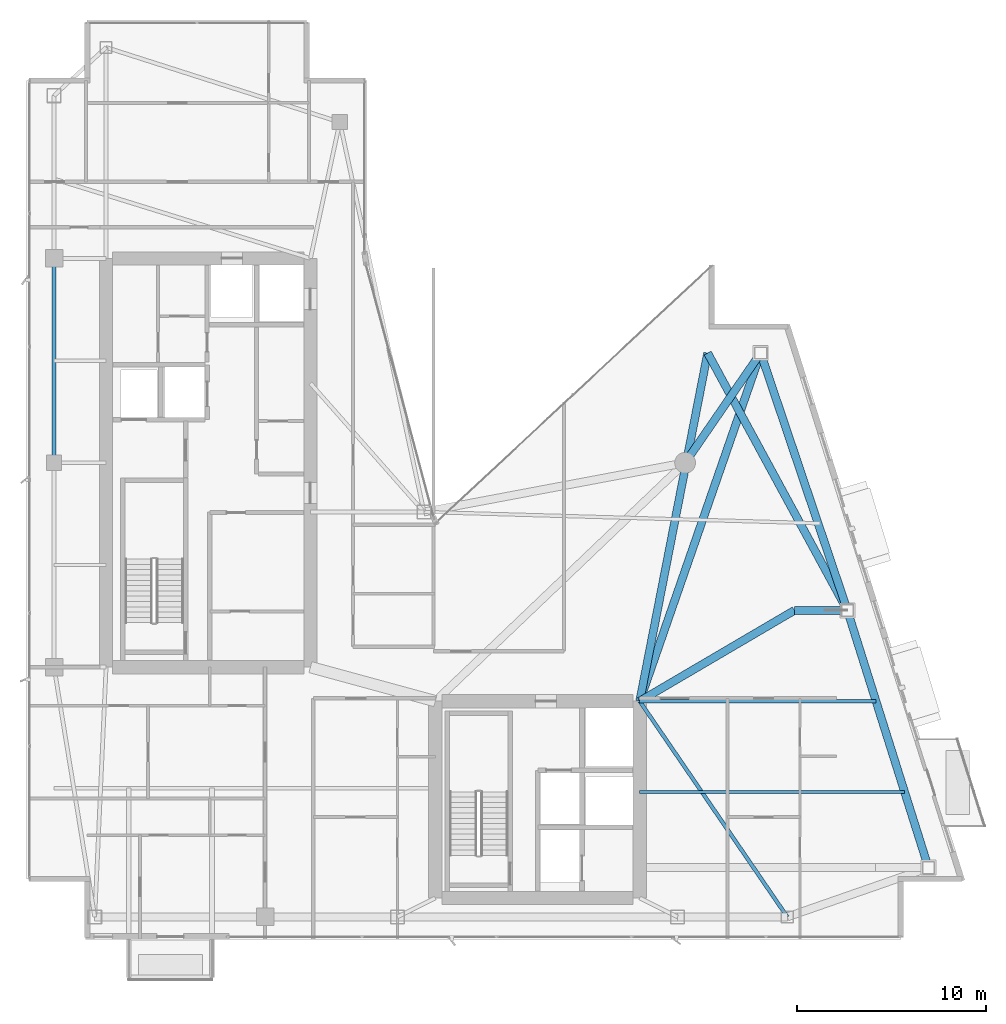
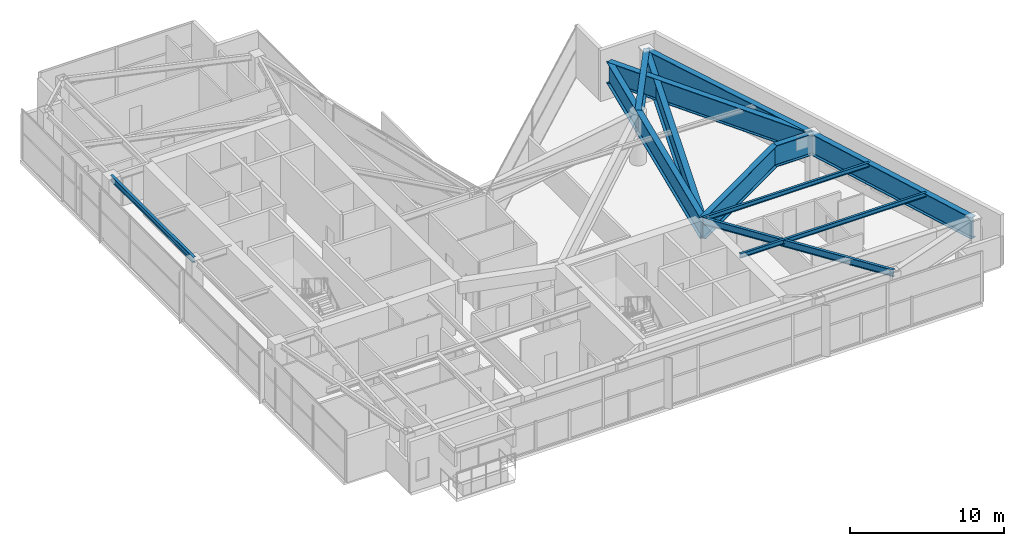
# One storey, part 14 of 27: 12 beams.
"""IFC4 building model written with IfcOpenShell, lengths in metres."""

from ifc_helpers import new_model, si_unit, direction, frame, origin, origin_2d, place, context, subcontext, project, spatial, i_section, extrude, material, material_profile, profile_set, type_object, element, save


model = new_model("IFC4")

# Units and contexts
model_context = context("Model", 3, precision=1e-05, world=origin(), true_north=direction((0.0, 1.0)))
body_context = subcontext(model_context, "Body", "Model", "MODEL_VIEW")
ifc_project = project(units=[si_unit("LENGTHUNIT", "METRE"), si_unit("AREAUNIT", "SQUARE_METRE"), si_unit("VOLUMEUNIT", "CUBIC_METRE"), si_unit("PLANEANGLEUNIT", "RADIAN"), si_unit("MASSUNIT", "GRAM", prefix="KILO")], contexts=[model_context])

# Site, building, storey
site_placement = place(None, origin())
site = spatial("IfcSite", under=ifc_project, at=site_placement, CompositionType="ELEMENT")
building_placement = place(site_placement, origin())
building = spatial("IfcBuilding", under=site, at=building_placement, Name="Calvorn Quay Hotel", CompositionType="ELEMENT")
storey_placement = place(building_placement, frame((0.0, 0.0, 239.300048828125)))
storey = spatial("IfcBuildingStorey", under=building, at=storey_placement, Name="L59", CompositionType="ELEMENT", Elevation=239.300048828125)

# Beams
ifc_material_1 = material(Name="Steel Q355B", Category="steel")
ifc_material_profile_1 = material_profile(ifc_material_1, i_section(OverallWidth=0.199951171875, OverallDepth=0.550048828125, WebThickness=0.010009765625, FlangeThickness=0.01611328125, FilletRadius=0.01806640625, at=origin_2d()), Name="HN550x200x10x16")
ifc_profile_set_1 = profile_set([ifc_material_profile_1], Name="Steel Q355B")
beam_type_1 = type_object("IfcBeamType", Name="BM-GIRD-UPP", PredefinedType="BEAM", material=ifc_profile_set_1)
beam_1_placement = place(storey_placement, frame((40.199951171875, 3.60009765625, 3.77490234375), z_axis=(-0.564689618177, 0.825303359452, 0.0), x_axis=(-0.825303359452, -0.564689618177, 0.0)))
element("IfcBeam", 1, at=beam_1_placement, inside=storey, type_object=beam_type_1, Name="Beam BG-L59-E6", PredefinedType="BEAM", context=body_context, shape_type="SweptSolid", body=[
    extrude(i_section(OverallWidth=0.199951171875, OverallDepth=0.550048828125, WebThickness=0.010009765625, FlangeThickness=0.01611328125, FilletRadius=0.01806640625, at=origin_2d()), origin(), (0.0, 0.0, 1.0), 13.81298828125),
])
ifc_material_2 = material(Name="Steel Q355B", Category="steel")
ifc_material_profile_2 = material_profile(ifc_material_2, i_section(OverallWidth=0.175048828125, OverallDepth=0.35009765625, WebThickness=0.007080078125, FlangeThickness=0.010986328125, FilletRadius=0.013916015625, at=origin_2d()), Name="HN350x175x7x11")
ifc_profile_set_2 = profile_set([ifc_material_profile_2], Name="Steel Q355B")
beam_type_2 = type_object("IfcBeamType", Name="BM-JOIST-SEC", PredefinedType="JOIST", material=ifc_profile_set_2)
beam_2_placement = place(storey_placement, frame((32.39990234375, 10.199951171875, 3.875), z_axis=(1.0, 0.0, 0.0), x_axis=(0.0, 1.0, 0.0)))
element("IfcBeam", 2, at=beam_2_placement, inside=storey, type_object=beam_type_2, Name="Beam BJ-L59-E1", PredefinedType="JOIST", context=body_context, shape_type="SweptSolid", body=[
    extrude(i_section(OverallWidth=0.175048828125, OverallDepth=0.35009765625, WebThickness=0.007080078125, FlangeThickness=0.010986328125, FilletRadius=0.013916015625, at=origin_2d()), origin(), (0.0, 0.0, 1.0), 14.0009765625),
])
beam_3_placement = place(storey_placement, frame((32.39990234375, 15.0, 3.875), z_axis=(1.0, 0.0, 0.0), x_axis=(0.0, 1.0, 0.0)))
element("IfcBeam", 3, at=beam_3_placement, inside=storey, type_object=beam_type_2, Name="Beam BJ-L59-E2", PredefinedType="JOIST", context=body_context, shape_type="SweptSolid", body=[
    extrude(i_section(OverallWidth=0.175048828125, OverallDepth=0.35009765625, WebThickness=0.007080078125, FlangeThickness=0.010986328125, FilletRadius=0.013916015625, at=origin_2d()), origin(), (0.0, 0.0, 1.0), 12.488037109375),
])
ifc_material_3 = material(Name="Steel Q355B", Category="steel")
ifc_material_profile_3 = material_profile(ifc_material_3, i_section(OverallWidth=0.199951171875, OverallDepth=0.449951171875, WebThickness=0.009033203125, FlangeThickness=0.013916015625, FilletRadius=0.01611328125, at=origin_2d()), Name="HN450x200x9x14")
ifc_profile_set_3 = profile_set([ifc_material_profile_3], Name="Steel Q355B")
beam_type_3 = type_object("IfcBeamType", Name="BM-SPANDREL-Z3", PredefinedType="SPANDREL", material=ifc_profile_set_3)
beam_4_placement = place(storey_placement, frame((1.449951171875, 27.60009765625, 3.824951171875), z_axis=(0.0, 1.0, 0.0), x_axis=(-1.0, 0.0, 0.0)))
element("IfcBeam", 4, at=beam_4_placement, inside=storey, type_object=beam_type_3, Name="Beam BSP-L59-W3", PredefinedType="SPANDREL", context=body_context, shape_type="SweptSolid", body=[
    extrude(i_section(OverallWidth=0.199951171875, OverallDepth=0.449951171875, WebThickness=0.009033203125, FlangeThickness=0.013916015625, FilletRadius=0.01611328125, at=origin_2d()), origin(), (0.0, 0.0, 1.0), 10.7998046875),
])
ifc_material_4 = material(Name="Steel Q420GJC", Category="steel")
ifc_material_profile_4 = material_profile(ifc_material_4, i_section(OverallWidth=0.419921875, OverallDepth=1.699951171875, WebThickness=0.02392578125, FlangeThickness=0.0419921875, FilletRadius=0.02392578125, at=origin_2d()), Name="HN1700x420x24x42")
ifc_profile_set_4 = profile_set([ifc_material_profile_4], Name="Steel Q420GJC")
beam_type_4 = type_object("IfcBeamType", Name="BM-XFER-SAWTOOTH", PredefinedType="BEAM", material=ifc_profile_set_4)
beam_5_placement = place(storey_placement, frame((32.39990234375, 15.0, 3.199951171875), z_axis=(0.862366169926, 0.506285086653, 0.0), x_axis=(-0.506285086653, 0.862366169926, 0.0)))
element("IfcBeam", 5, at=beam_5_placement, inside=storey, type_object=beam_type_4, Name="Beam BTG-L59-C-ET2A", PredefinedType="BEAM", context=body_context, shape_type="SweptSolid", body=[
    extrude(i_section(OverallWidth=0.419921875, OverallDepth=1.699951171875, WebThickness=0.02392578125, FlangeThickness=0.0419921875, FilletRadius=0.02392578125, at=origin_2d()), origin(), (0.0, 0.0, 1.0), 9.48095703125),
])
beam_6_placement = place(storey_placement, frame((40.575927734375, 19.800048828125, 3.199951171875), z_axis=(1.0, 0.0, 0.0), x_axis=(0.0, 1.0, 0.0)))
element("IfcBeam", 6, at=beam_6_placement, inside=storey, type_object=beam_type_4, Name="Beam BTG-L59-C-ET2B", PredefinedType="BEAM", context=body_context, shape_type="SweptSolid", body=[
    extrude(i_section(OverallWidth=0.419921875, OverallDepth=1.699951171875, WebThickness=0.02392578125, FlangeThickness=0.0419921875, FilletRadius=0.02392578125, at=origin_2d()), origin(), (0.0, 0.0, 1.0), 2.800048828125),
])
beam_7_placement = place(storey_placement, frame((32.39990234375, 15.0, 3.199951171875), z_axis=(0.191553502647, 0.981482172851, 0.0), x_axis=(-0.981482172851, 0.191553502647, 0.0)))
element("IfcBeam", 7, at=beam_7_placement, inside=storey, type_object=beam_type_4, Name="Beam BTG-L59-C-ET3A", PredefinedType="BEAM", context=body_context, shape_type="SweptSolid", body=[
    extrude(i_section(OverallWidth=0.419921875, OverallDepth=1.699951171875, WebThickness=0.02392578125, FlangeThickness=0.0419921875, FilletRadius=0.02392578125, at=origin_2d()), origin(), (0.0, 0.0, 1.0), 18.7470703125),
])
beam_8_placement = place(storey_placement, frame((35.990966796875, 33.39990234375, 3.199951171875), z_axis=(0.477203264723, -0.878792947251, 0.0), x_axis=(0.878792947251, 0.477203264723, 0.0)))
element("IfcBeam", 8, at=beam_8_placement, inside=storey, type_object=beam_type_4, Name="Beam BTG-L59-C-ET3B", PredefinedType="BEAM", context=body_context, shape_type="SweptSolid", body=[
    extrude(i_section(OverallWidth=0.419921875, OverallDepth=1.699951171875, WebThickness=0.02392578125, FlangeThickness=0.0419921875, FilletRadius=0.02392578125, at=origin_2d()), origin(), (0.0, 0.0, 1.0), 15.4755859375),
])
beam_9_placement = place(storey_placement, frame((47.660888671875, 6.199951171875, 3.199951171875), z_axis=(-0.300502802767, 0.953780931624, 0.0), x_axis=(-0.953780931624, -0.300502802767, 0.0)))
element("IfcBeam", 9, at=beam_9_placement, inside=storey, type_object=beam_type_4, Name="Beam BSP-L59-E1", PredefinedType="BEAM", context=body_context, shape_type="SweptSolid", body=[
    extrude(i_section(OverallWidth=0.419921875, OverallDepth=1.699951171875, WebThickness=0.02392578125, FlangeThickness=0.0419921875, FilletRadius=0.02392578125, at=origin_2d()), origin(), (0.0, 0.0, 1.0), 14.259033203125),
])
beam_10_placement = place(storey_placement, frame((43.3759765625, 19.800048828125, 3.199951171875), z_axis=(-0.319466515944, 0.947597564998, 0.0), x_axis=(-0.947597564998, -0.319466515944, 0.0)))
element("IfcBeam", 10, at=beam_10_placement, inside=storey, type_object=beam_type_4, Name="Beam BSP-L59-E2", PredefinedType="BEAM", context=body_context, shape_type="SweptSolid", body=[
    extrude(i_section(OverallWidth=0.419921875, OverallDepth=1.699951171875, WebThickness=0.02392578125, FlangeThickness=0.0419921875, FilletRadius=0.02392578125, at=origin_2d()), origin(), (0.0, 0.0, 1.0), 14.35205078125),
])
beam_11_placement = place(storey_placement, frame((38.791015625, 33.39990234375, 3.199951171875), z_axis=(-0.566876101303, -0.823803062492, 0.0), x_axis=(0.823803062492, -0.566876101303, 0.0)))
element("IfcBeam", 11, at=beam_11_placement, inside=storey, type_object=beam_type_4, Name="Beam BSP-L59-E3", PredefinedType="BEAM", context=body_context, shape_type="SweptSolid", body=[
    extrude(i_section(OverallWidth=0.419921875, OverallDepth=1.699951171875, WebThickness=0.02392578125, FlangeThickness=0.0419921875, FilletRadius=0.02392578125, at=origin_2d()), origin(), (0.0, 0.0, 1.0), 7.040283203125),
])
beam_12_placement = place(storey_placement, frame((32.39990234375, 15.0, 3.199951171875), z_axis=(0.328115152411, 0.94463773308, 0.0), x_axis=(-0.94463773308, 0.328115152411, 0.0)))
element("IfcBeam", 12, at=beam_12_placement, inside=storey, type_object=beam_type_4, Name="Beam BTG-L59-03", PredefinedType="BEAM", context=body_context, shape_type="SweptSolid", body=[
    extrude(i_section(OverallWidth=0.419921875, OverallDepth=1.699951171875, WebThickness=0.02392578125, FlangeThickness=0.0419921875, FilletRadius=0.02392578125, at=origin_2d()), origin(), (0.0, 0.0, 1.0), 19.478271484375),
])

save(model, "model.ifc")
